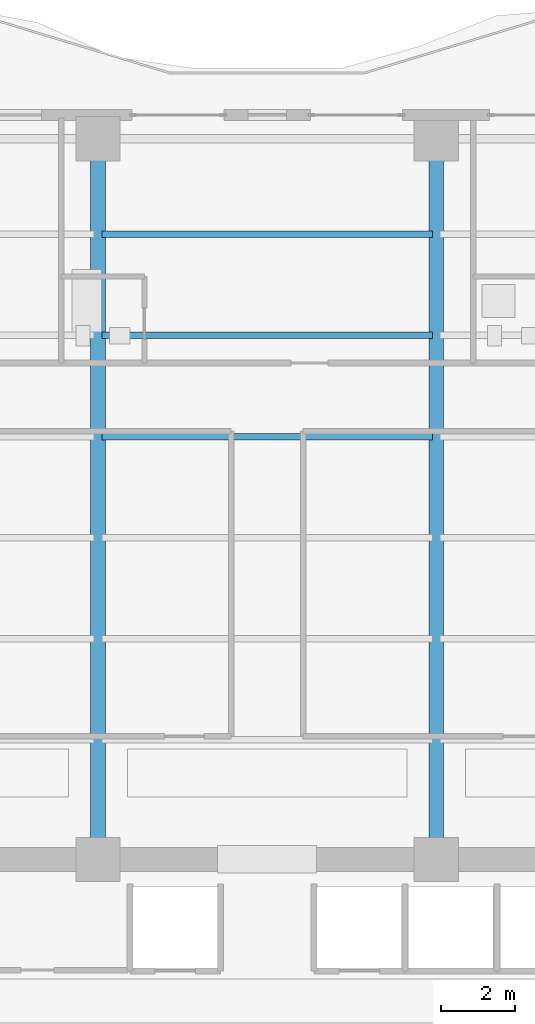
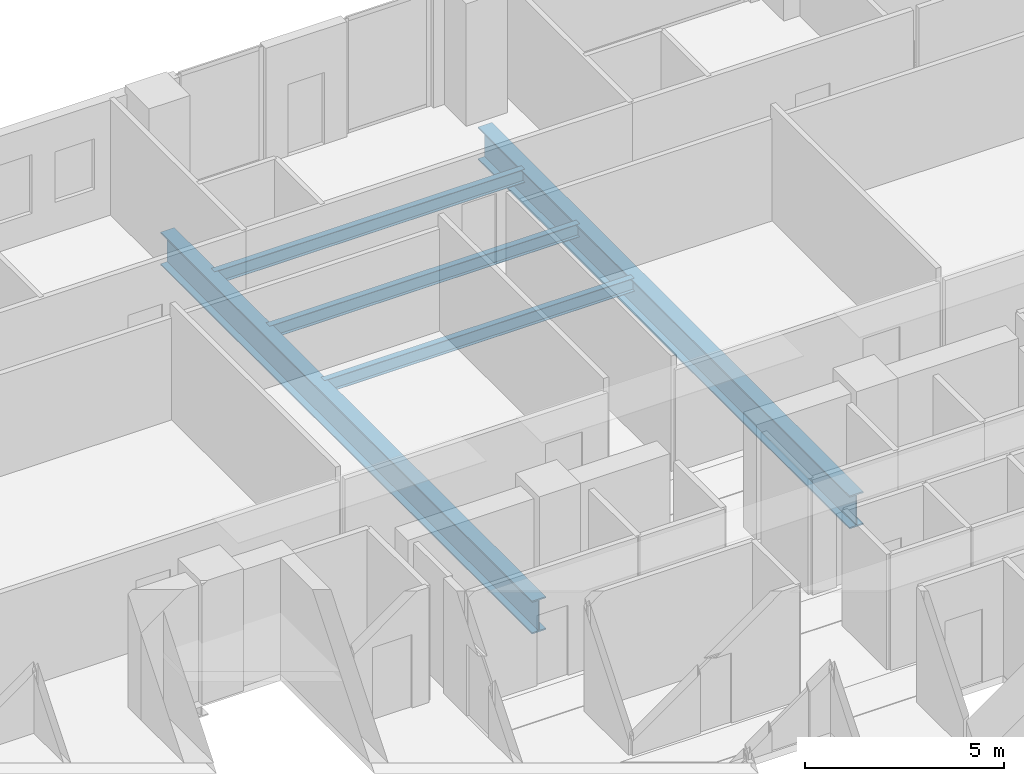
# One storey, part 18 of 32: 5 beams.
"""IFC4 building model written with IfcOpenShell, lengths in metres."""

from ifc_helpers import new_model, si_unit, direction, frame, origin, origin_2d, place, context, subcontext, project, spatial, i_section, extrude, material, material_profile, profile_set, type_object, element, save


model = new_model("IFC4")

# Units and contexts
model_context = context("Model", 3, precision=1e-05, world=origin(), true_north=direction((0.0, 1.0)))
body_context = subcontext(model_context, "Body", "Model", "MODEL_VIEW")
ifc_project = project(units=[si_unit("LENGTHUNIT", "METRE"), si_unit("AREAUNIT", "SQUARE_METRE"), si_unit("VOLUMEUNIT", "CUBIC_METRE"), si_unit("PLANEANGLEUNIT", "RADIAN"), si_unit("MASSUNIT", "GRAM", prefix="KILO")], contexts=[model_context])

# Site, building, storey
site_placement = place(None, origin())
site = spatial("IfcSite", under=ifc_project, at=site_placement, CompositionType="ELEMENT")
building_placement = place(site_placement, origin())
building = spatial("IfcBuilding", under=site, at=building_placement, Name="Zuhayl Quay Hotel", CompositionType="ELEMENT")
storey_placement = place(building_placement, frame((0.0, 0.0, 192.39990234375)))
storey = spatial("IfcBuildingStorey", under=building, at=storey_placement, Name="L48", CompositionType="ELEMENT", Elevation=192.39990234375)

# Beams
ifc_material = material(Name="Steel ASTM A992 Grade 50", Category="steel")
ifc_material_profile_1 = material_profile(ifc_material, i_section(OverallWidth=0.177978515625, OverallDepth=0.406005859375, WebThickness=0.0078125, FlangeThickness=0.0126953125, at=origin_2d()), Name="W16X40")
ifc_profile_set_1 = profile_set([ifc_material_profile_1], Name="Steel ASTM A992 Grade 50")
beam_type_1 = type_object("IfcBeamType", Name="BM_J2B_W16X40", PredefinedType="JOIST", material=ifc_profile_set_1)
for number, where, z_axis, x_axis, name in (
    (1, (-4.493896484375, 24.85009765625, -0.4228515625), (1.0, 0.0, 0.0), (0.0, 1.0, 0.0), "L48 Floor Beam FJ_L48_4_2"),
    (2, (-4.493896484375, 27.60009765625, -0.4228515625), (1.0, 0.0, 0.0), (0.0, 1.0, 0.0), "L48 Floor Beam FJ_L48_5_2"),
    (3, (-4.493896484375, 30.35009765625, -0.4228515625), (1.0, 0.0, 0.0), (0.0, 1.0, 0.0), "L48 Floor Beam FJ_L48_6_2"),
):
    element("IfcBeam", number, at=place(storey_placement, frame(where, z_axis=z_axis, x_axis=x_axis)), inside=storey, type_object=beam_type_1, Name=name, PredefinedType="JOIST", context=body_context, shape_type="SweptSolid", body=[
        extrude(i_section(OverallWidth=0.177978515625, OverallDepth=0.406005859375, WebThickness=0.0078125, FlangeThickness=0.0126953125, at=origin_2d()), origin(), (0.0, 0.0, 1.0), 8.98779296875),
    ])
ifc_material_profile_2 = material_profile(ifc_material, i_section(OverallWidth=0.40087890625, OverallDepth=1.010986328125, WebThickness=0.023681640625, FlangeThickness=0.0419921875, at=origin_2d()), Name="W40X297")
ifc_profile_set_2 = profile_set([ifc_material_profile_2], Name="Steel ASTM A992 Grade 50")
beam_type_2 = type_object("IfcBeamType", Name="BM_TG2_W40X297", PredefinedType="BEAM", material=ifc_profile_set_2)
for number, where, z_axis, x_axis, name in (
    (4, (-4.60009765625, 13.800048828125, -0.725341796875), (0.0, 1.0, 0.0), (-1.0, 0.0, 0.0), "L48 Floor Beam FG_N_L48_2"),
    (5, (4.60009765625, 13.800048828125, -0.725341796875), (0.0, 1.0, 0.0), (-1.0, 0.0, 0.0), "L48 Floor Beam FG_N_L48_3"),
):
    element("IfcBeam", number, at=place(storey_placement, frame(where, z_axis=z_axis, x_axis=x_axis)), inside=storey, type_object=beam_type_2, Name=name, PredefinedType="BEAM", context=body_context, shape_type="SweptSolid", body=[
        extrude(i_section(OverallWidth=0.40087890625, OverallDepth=1.010986328125, WebThickness=0.023681640625, FlangeThickness=0.0419921875, at=origin_2d()), origin(), (0.0, 0.0, 1.0), 18.64990234375),
    ])

save(model, "model.ifc")
